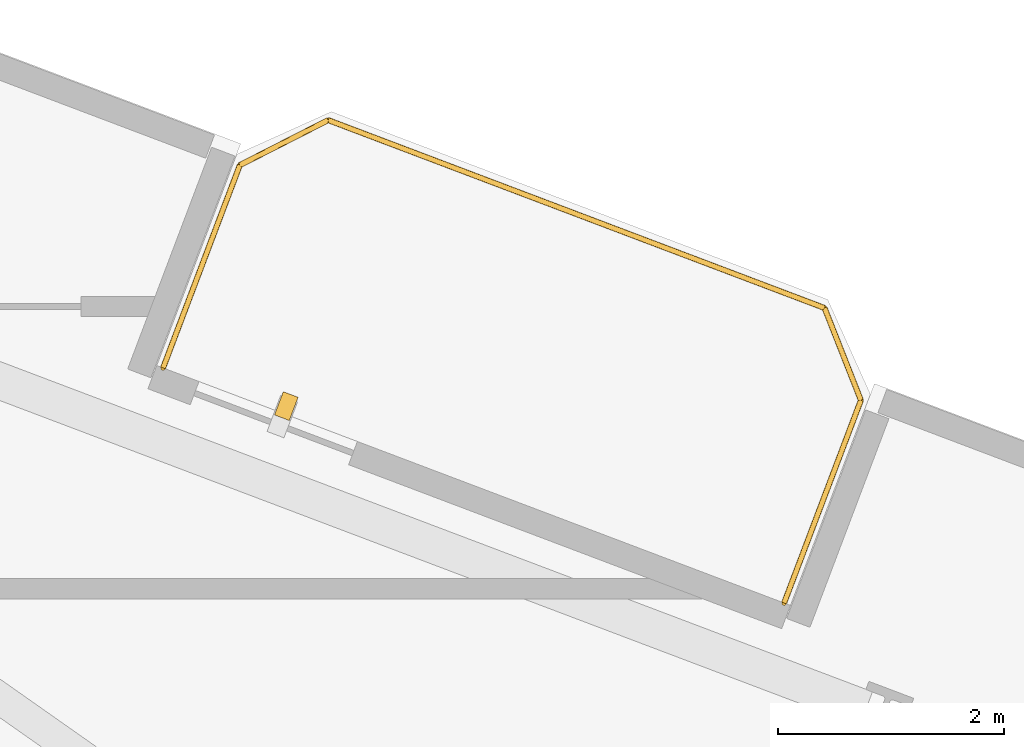
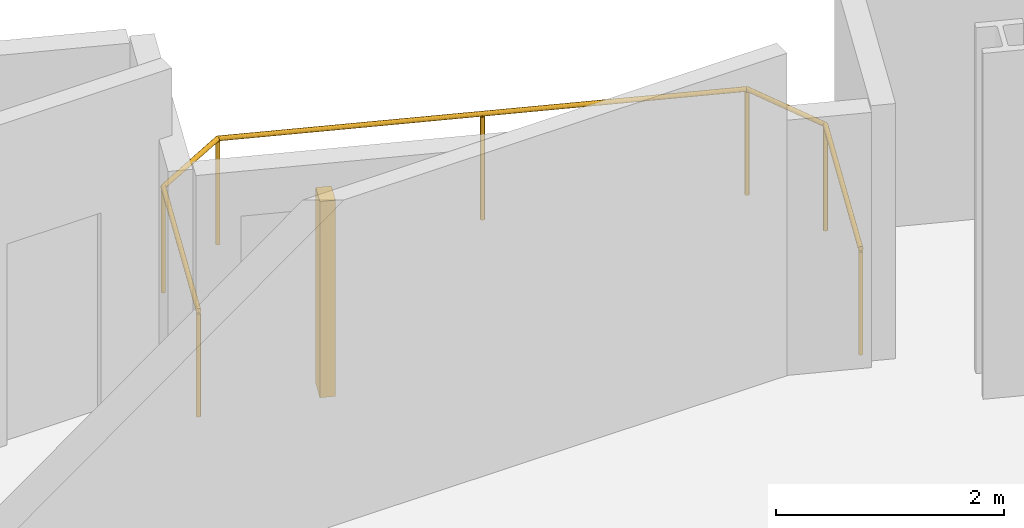
# One storey, part 24 of 24: 1 railing, 1 shading device.
"""IFC4 building model written with IfcOpenShell, lengths in metres."""

from ifc_helpers import new_model, si_unit, direction, frame, origin, origin_2d, place, context, subcontext, project, spatial, rectangle, circle, extrude, source, transform, mapped, material, type_object, element, save


model = new_model("IFC4")

# Units and contexts
model_context = context("Model", 3, precision=1e-05, world=origin(), true_north=direction((0.0, 1.0)))
body_context = subcontext(model_context, "Body", "Model", "MODEL_VIEW")
ifc_project = project(units=[si_unit("LENGTHUNIT", "METRE"), si_unit("AREAUNIT", "SQUARE_METRE"), si_unit("VOLUMEUNIT", "CUBIC_METRE"), si_unit("PLANEANGLEUNIT", "RADIAN"), si_unit("MASSUNIT", "GRAM", prefix="KILO")], contexts=[model_context])

# Site, building, storey
site_placement = place(None, origin())
site = spatial("IfcSite", under=ifc_project, at=site_placement, CompositionType="ELEMENT")
building_placement = place(site_placement, origin())
building = spatial("IfcBuilding", under=site, at=building_placement, Name="Varnelok Gate Tower", CompositionType="ELEMENT")
storey_placement = place(building_placement, frame((0.0, 0.0, 98.39990234375)))
storey = spatial("IfcBuildingStorey", under=building, at=storey_placement, Name="L24", CompositionType="ELEMENT", Elevation=98.39990234375)

# Railing
ifc_material_1 = material(Name="Low-E Laminated Double Glazing IGU", Category="glass")
railing_type = type_object("IfcRailingType", Name="RL-BALC-1150", PredefinedType="BALUSTRADE", material=ifc_material_1)
railing_placement = place(storey_placement, frame((57.49462890625, 41.256103515625, 0.0)))
element("IfcRailing", 1, at=railing_placement, inside=storey, type_object=railing_type, Name="L24 North Terrace Balustrade 6", PredefinedType="BALUSTRADE", context=body_context, shape_type="SweptSolid", body=[
    extrude(circle(Radius=0.02392578125, at=origin_2d()), frame((0.0, 0.0, 1.1259765625), z_axis=(0.354006333352, 0.935243025073, 0.0), x_axis=(-0.935243025073, 0.354006333352, 0.0)), (0.0, 0.0, 1.0), 1.919921875),
    extrude(circle(Radius=0.02392578125, at=origin_2d()), frame((0.6796875, 1.795654296875, 1.1259765625), z_axis=(0.89078254773, 0.454429810487, 0.0), x_axis=(-0.454429810487, 0.89078254773, 0.0)), (0.0, 0.0, 1.0), 0.8779296875),
    extrude(circle(Radius=0.02392578125, at=origin_2d()), frame((1.461669921875, 2.194580078125, 1.1259765625), z_axis=(0.935223045203, -0.354059113314, 0.0), x_axis=(0.354059113314, 0.935223045203, 0.0)), (0.0, 0.0, 1.0), 4.699951171875),
    extrude(circle(Radius=0.02392578125, at=origin_2d()), frame((5.857177734375, 0.530517578125, 1.1259765625), z_axis=(0.36659018357, -0.930382522036, 0.0), x_axis=(0.930382522036, 0.36659018357, 0.0)), (0.0, 0.0, 1.0), 0.877685546875),
    extrude(circle(Radius=0.02392578125, at=origin_2d()), frame((6.178955078125, -0.2861328125, 1.1259765625), z_axis=(-0.354117547856, -0.935200920819, 0.0), x_axis=(0.935200920819, -0.354117547856, 0.0)), (0.0, 0.0, 1.0), 1.920166015625),
    extrude(circle(Radius=0.02099609375, at=origin_2d()), origin(), (0.0, 0.0, 1.0), 1.101806640625),
    extrude(circle(Radius=0.02099609375, at=origin_2d()), frame((0.6796875, 1.795654296875, 0.0)), (0.0, 0.0, 1.0), 1.101806640625),
    extrude(circle(Radius=0.02099609375, at=origin_2d()), frame((1.461669921875, 2.194580078125, 0.0)), (0.0, 0.0, 1.0), 1.101806640625),
    extrude(circle(Radius=0.02099609375, at=origin_2d()), frame((3.659423828125, 1.362548828125, 0.0)), (0.0, 0.0, 1.0), 1.101806640625),
    extrude(circle(Radius=0.02099609375, at=origin_2d()), frame((5.857177734375, 0.530517578125, 0.0)), (0.0, 0.0, 1.0), 1.101806640625),
    extrude(circle(Radius=0.02099609375, at=origin_2d()), frame((6.178955078125, -0.2861328125, 0.0)), (0.0, 0.0, 1.0), 1.101806640625),
    extrude(circle(Radius=0.02099609375, at=origin_2d()), frame((5.4990234375, -2.081787109375, 0.0)), (0.0, 0.0, 1.0), 1.101806640625),
])

# Shading device
ifc_material_2 = material(Name="Glazed Architectural Terracotta Ceramic", Category="masonry")
shading_device_type = type_object("IfcShadingDeviceType", Name="SHD-TERRA-BAGUETTE", PredefinedType="USERDEFINED", material=ifc_material_2)
shared_shape = source(origin(), body_context, "Body", "SweptSolid", [
    extrude(rectangle(XDim=0.139892578125, YDim=0.219970703125, at=origin_2d()), origin(), (0.0, 0.0, 1.0), 2.10009765625),
])
shading_device_placement = place(storey_placement, frame((58.58544921875, 40.91796875, 0.10009765625), z_axis=(0.0, 0.0, 1.0), x_axis=(0.935221751401, -0.354062530786, 0.0)))
element("IfcShadingDevice", 2, at=shading_device_placement, inside=storey, type_object=shading_device_type, Name="L24 Terracotta Ceramic Baguette Sunscreen 6.1", ObjectType="BAGUETTE", PredefinedType="USERDEFINED", context=body_context, shape_type="MappedRepresentation", body=[
    mapped(shared_shape, transform((0.0, 0.0, 0.0), scale=1.0)),
])

save(model, "model.ifc")
